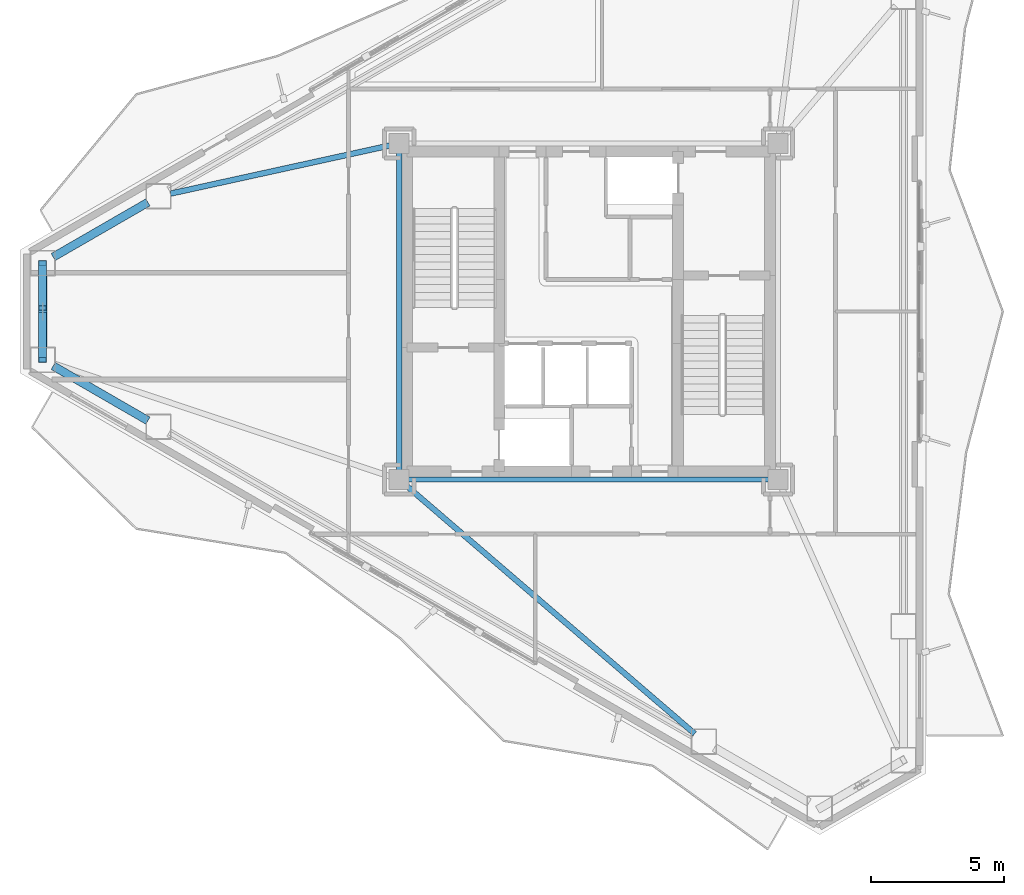
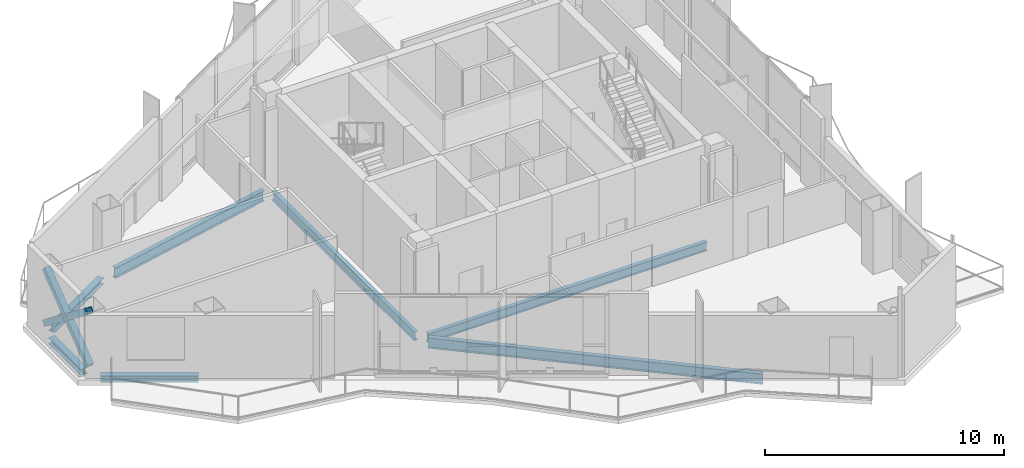
# One storey, part 5 of 18: 7 beams, 3 members.
"""IFC4 building model written with IfcOpenShell, lengths in metres."""

from ifc_helpers import new_model, si_unit, direction, frame, origin, origin_2d, place, context, subcontext, project, spatial, hollow_rectangle, i_section, extrude, material, material_profile, profile_set, type_object, element, save


model = new_model("IFC4")

# Units and contexts
model_context = context("Model", 3, precision=1e-05, world=origin(), true_north=direction((0.0, 1.0)))
body_context = subcontext(model_context, "Body", "Model", "MODEL_VIEW")
ifc_project = project(units=[si_unit("LENGTHUNIT", "METRE"), si_unit("AREAUNIT", "SQUARE_METRE"), si_unit("VOLUMEUNIT", "CUBIC_METRE"), si_unit("PLANEANGLEUNIT", "RADIAN"), si_unit("MASSUNIT", "GRAM", prefix="KILO")], contexts=[model_context])

# Site, building, storey
site_placement = place(None, origin())
site = spatial("IfcSite", under=ifc_project, at=site_placement, CompositionType="ELEMENT")
building_placement = place(site_placement, origin())
building = spatial("IfcBuilding", under=site, at=building_placement, Name="Mersakhor Tower and Convention Hall", CompositionType="ELEMENT")
storey_placement = place(building_placement, frame((0.0, 0.0, 170.699951171875)))
storey = spatial("IfcBuildingStorey", under=building, at=storey_placement, Name="L47", CompositionType="ELEMENT", Elevation=170.699951171875)

# Beams
ifc_material_1 = material(Name="Steel S355", Category="steel")
ifc_material_profile_1 = material_profile(ifc_material_1, i_section(OverallWidth=0.19140625, OverallDepth=0.4599609375, WebThickness=0.010009765625, FlangeThickness=0.01611328125, at=origin_2d()), Name="UB 457x191x82")
ifc_profile_set_1 = profile_set([ifc_material_profile_1], Name="Steel S355")
beam_type_1 = type_object("IfcBeamType", Name="BM-FB-457", PredefinedType="BEAM", material=ifc_profile_set_1)
beam_1_placement = place(storey_placement, frame((21.89990234375, 20.804931640625, -0.510009765625), z_axis=(0.0, 1.0, 0.0), x_axis=(-1.0, 0.0, 0.0)))
element("IfcBeam", 1, at=beam_1_placement, inside=storey, type_object=beam_type_1, Name="L47 Core Ring Tie Beam CRB-1", PredefinedType="BEAM", context=body_context, shape_type="SweptSolid", body=[
    extrude(i_section(OverallWidth=0.19140625, OverallDepth=0.4599609375, WebThickness=0.010009765625, FlangeThickness=0.01611328125, at=origin_2d()), origin(), (0.0, 0.0, 1.0), 11.89013671875),
])
beam_2_placement = place(storey_placement, frame((35.7451171875, 20.449951171875, -0.510009765625), z_axis=(-1.0, 0.0, 0.0), x_axis=(0.0, -1.0, 0.0)))
element("IfcBeam", 2, at=beam_2_placement, inside=storey, type_object=beam_type_1, Name="L47 Core Ring Tie Beam CRB-4", PredefinedType="BEAM", context=body_context, shape_type="SweptSolid", body=[
    extrude(i_section(OverallWidth=0.19140625, OverallDepth=0.4599609375, WebThickness=0.010009765625, FlangeThickness=0.01611328125, at=origin_2d()), origin(), (0.0, 0.0, 1.0), 13.490234375),
])
ifc_material_2 = material(Name="Steel S355", Category="steel")
ifc_material_profile_2 = material_profile(ifc_material_2, i_section(OverallWidth=0.2099609375, OverallDepth=0.53662109375, WebThickness=0.0107421875, FlangeThickness=0.017333984375, at=origin_2d()), Name="UB 533x210x101")
ifc_profile_set_2 = profile_set([ifc_material_profile_2], Name="Steel S355")
beam_type_2 = type_object("IfcBeamType", Name="BM-FB-533", PredefinedType="BEAM", material=ifc_profile_set_2)
beam_3_placement = place(storey_placement, frame((21.55322265625, 32.973876953125, -0.54833984375), z_axis=(-0.976763420226, -0.214320369792, 0.0), x_axis=(0.214320369792, -0.976763420226, 0.0)))
element("IfcBeam", 3, at=beam_3_placement, inside=storey, type_object=beam_type_2, Name="L47 Primary Floor Girder FG-1", PredefinedType="BEAM", context=body_context, shape_type="SweptSolid", body=[
    extrude(i_section(OverallWidth=0.2099609375, OverallDepth=0.53662109375, WebThickness=0.0107421875, FlangeThickness=0.017333984375, at=origin_2d()), origin(), (0.0, 0.0, 1.0), 8.4306640625),
])
beam_4_placement = place(storey_placement, frame((22.169189453125, 20.218505859375, -0.54833984375), z_axis=(0.758110691611, -0.65212589219, 0.0), x_axis=(0.65212589219, 0.758110691611, 0.0)))
element("IfcBeam", 4, at=beam_4_placement, inside=storey, type_object=beam_type_2, Name="L47 Primary Floor Girder FG-5", PredefinedType="BEAM", context=body_context, shape_type="SweptSolid", body=[
    extrude(i_section(OverallWidth=0.2099609375, OverallDepth=0.53662109375, WebThickness=0.0107421875, FlangeThickness=0.017333984375, at=origin_2d()), origin(), (0.0, 0.0, 1.0), 14.256591796875),
])
ifc_material_3 = material(Name="Steel S355", Category="steel")
ifc_material_profile_3 = material_profile(ifc_material_3, i_section(OverallWidth=0.30908203125, OverallDepth=0.320556640625, WebThickness=0.013916015625, FlangeThickness=0.021728515625, at=origin_2d()), Name="UC 305x305x137")
ifc_profile_set_3 = profile_set([ifc_material_profile_3], Name="Steel S355")
beam_type_3 = type_object("IfcBeamType", Name="BM-SPD-UC305", PredefinedType="SPANDREL", material=ifc_profile_set_3)
for number, where, z_axis, x_axis, name in (
    (5, (8.927978515625, 28.791259765625, -0.440185546875), (0.86602202897, 0.500005845305, 0.0), (-0.500005845305, 0.86602202897, 0.0), "L47 Perimeter Spandrel Beam SPB-01"),
    (6, (12.47998046875, 22.657958984375, -0.440185546875), (-0.86602202897, 0.500005845305, 0.0), (-0.500005845305, -0.86602202897, 0.0), "L47 Perimeter Spandrel Beam SPB-11"),
):
    element("IfcBeam", number, at=place(storey_placement, frame(where, z_axis=z_axis, x_axis=x_axis)), inside=storey, type_object=beam_type_3, Name=name, PredefinedType="SPANDREL", context=body_context, shape_type="SweptSolid", body=[
        extrude(i_section(OverallWidth=0.30908203125, OverallDepth=0.320556640625, WebThickness=0.013916015625, FlangeThickness=0.021728515625, at=origin_2d()), origin(), (0.0, 0.0, 1.0), 4.1015625),
    ])
beam_5_placement = place(storey_placement, frame((8.533935546875, 25.39111328125, -0.440185546875), z_axis=(0.0, 1.0, 0.0), x_axis=(-1.0, 0.0, 0.0)))
element("IfcBeam", 7, at=beam_5_placement, inside=storey, type_object=beam_type_3, Name="L47 Perimeter Spandrel Beam SPB-12", PredefinedType="SPANDREL", context=body_context, shape_type="SweptSolid", body=[
    extrude(i_section(OverallWidth=0.30908203125, OverallDepth=0.320556640625, WebThickness=0.013916015625, FlangeThickness=0.021728515625, at=origin_2d()), origin(), (0.0, 0.0, 1.0), 2.7177734375),
])

# Members
ifc_material_4 = material(Name="Steel S355", Category="steel")
ifc_material_profile_4 = material_profile(ifc_material_4, hollow_rectangle(XDim=0.300048828125, YDim=0.300048828125, WallThickness=0.01611328125, at=origin_2d()), Name="SHS 300x300x16")
ifc_profile_set_4 = profile_set([ifc_material_profile_4], Name="Steel S355")
member_type = type_object("IfcMemberType", Name="MB-BRC-SHS300", PredefinedType="BRACE", material=ifc_profile_set_4)
member_placement = place(storey_placement, frame((8.533935546875, 24.936279296875, 0.150146484375), z_axis=(0.0, 0.791624681567, 0.611007662418), x_axis=(-1.0, 0.0, 0.0)))
element("IfcMember", 8, at=member_placement, inside=storey, type_object=member_type, Name="L47 Chamfer Braced Frame Diagonal CB-3A", PredefinedType="BRACE", context=body_context, shape_type="SweptSolid", body=[
    extrude(hollow_rectangle(XDim=0.300048828125, YDim=0.300048828125, WallThickness=0.01611328125, at=origin_2d()), origin(), (0.0, 0.0, 1.0), 4.582275390625),
])
for number, where, z_axis, x_axis, name in (
    (9, (8.533935546875, 28.563720703125, 0.150146484375), (0.0, -0.791607844816, 0.611029475578), (1.0, 0.0, 0.0), "L47 Chamfer Braced Frame Diagonal CB-3B Lower Half"),
    (10, (8.533935546875, 26.620849609375, 1.649658203125), (0.0, -0.791607844816, 0.611029475578), (1.0, 0.0, 0.0), "L47 Chamfer Braced Frame Diagonal CB-3B Upper Half"),
):
    element("IfcMember", number, at=place(storey_placement, frame(where, z_axis=z_axis, x_axis=x_axis)), inside=storey, type_object=member_type, Name=name, PredefinedType="BRACE", context=body_context, shape_type="SweptSolid", body=[
        extrude(hollow_rectangle(XDim=0.300048828125, YDim=0.300048828125, WallThickness=0.01611328125, at=origin_2d()), origin(), (0.0, 0.0, 1.0), 2.1279296875),
    ])

save(model, "model.ifc")
